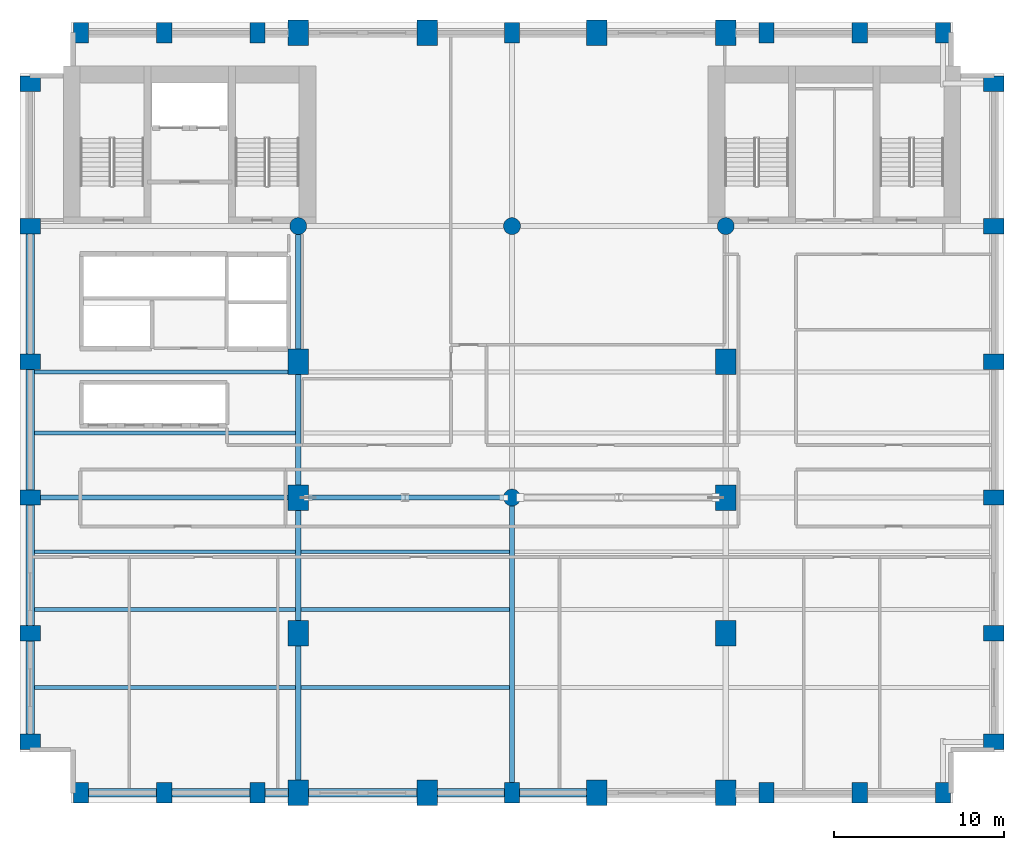
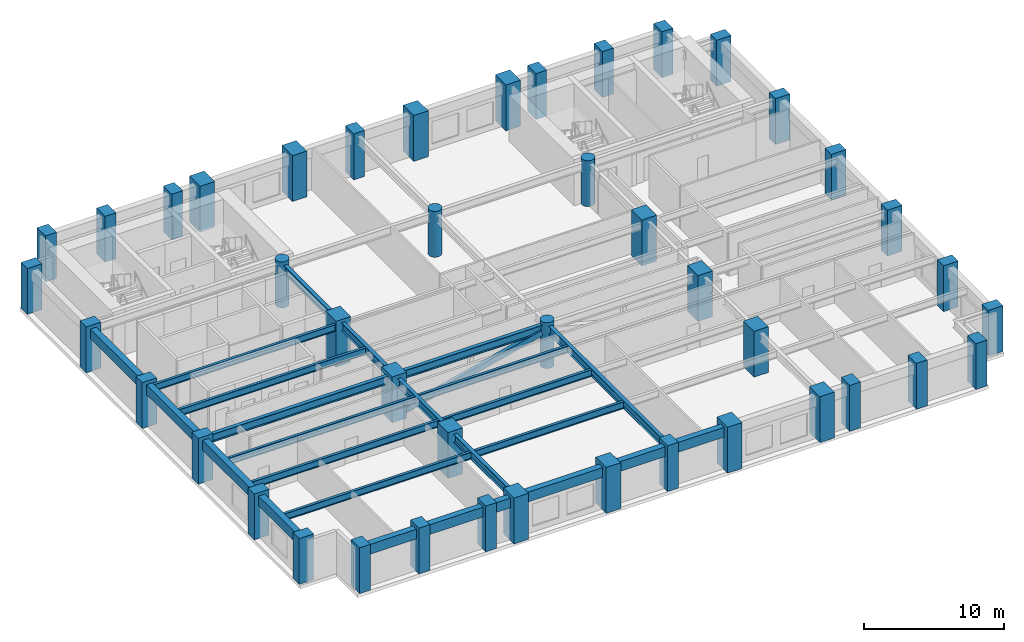
# One storey, part 1 of 10: 44 columns, 23 beams, 1 member.
"""IFC4 building model written with IfcOpenShell, lengths in metres."""

from ifc_helpers import new_model, si_unit, direction, frame, origin, origin_2d, place, context, subcontext, project, spatial, rectangle, hollow_rectangle, circle, i_section, extrude, material, material_profile, profile_set, type_object, element, save


model = new_model("IFC4")

# Units and contexts
model_context = context("Model", 3, precision=1e-05, world=origin(), true_north=direction((0.0, 1.0)))
body_context = subcontext(model_context, "Body", "Model", "MODEL_VIEW")
ifc_project = project(units=[si_unit("LENGTHUNIT", "METRE"), si_unit("AREAUNIT", "SQUARE_METRE"), si_unit("VOLUMEUNIT", "CUBIC_METRE"), si_unit("PLANEANGLEUNIT", "RADIAN"), si_unit("MASSUNIT", "GRAM", prefix="KILO")], contexts=[model_context])

# Site, building, storey
site_placement = place(None, origin())
site = spatial("IfcSite", under=ifc_project, at=site_placement, CompositionType="ELEMENT")
building_placement = place(site_placement, origin())
building = spatial("IfcBuilding", under=site, at=building_placement, Name="Sulina Concourse Tower", CompositionType="ELEMENT")
storey_placement = place(building_placement, frame((0.0, 0.0, 58.60009765625)))
storey = spatial("IfcBuildingStorey", under=building, at=storey_placement, Name="L14", CompositionType="ELEMENT", Elevation=58.60009765625)

# Columns
ifc_material_1 = material(Name="Concrete C60/75", Category="concrete")
ifc_material_profile_1 = material_profile(ifc_material_1, circle(Radius=0.5, at=origin_2d()), Name="RC D1000")
ifc_profile_set_1 = profile_set([ifc_material_profile_1], Name="Concrete C60/75")
column_type_1 = type_object("IfcColumnType", Name="Lower Interior Circular Column D1000", PredefinedType="COLUMN", material=ifc_profile_set_1)
for number, where, z_axis, x_axis, name in (
    (1, (16.39990234375, 34.0, 0.0), (0.0, 0.0, 1.0), (1.0, 0.0, 0.0), "L14 structural column IC-N-164"),
    (2, (29.0, 18.0, 0.0), (0.0, 0.0, 1.0), (1.0, 0.0, 0.0), "L14 structural column IC-M-290"),
    (3, (29.0, 34.0, 0.0), (0.0, 0.0, 1.0), (1.0, 0.0, 0.0), "L14 structural column IC-N-290"),
    (4, (41.60009765625, 34.0, 0.0), (0.0, 0.0, 1.0), (1.0, 0.0, 0.0), "L14 structural column IC-N-416"),
):
    element("IfcColumn", number, at=place(storey_placement, frame(where, z_axis=z_axis, x_axis=x_axis)), inside=storey, type_object=column_type_1, Name=name, PredefinedType="COLUMN", context=body_context, shape_type="SweptSolid", body=[
        extrude(circle(Radius=0.5, at=origin_2d()), origin(), (0.0, 0.0, 1.0), 4.0),
    ])
ifc_material_2 = material(Name="Concrete C80/95", Category="concrete")
ifc_material_profile_2 = material_profile(ifc_material_2, rectangle(XDim=1.199951171875, YDim=1.5, at=origin_2d()), Name="RC 1200x1500")
ifc_profile_set_2 = profile_set([ifc_material_profile_2], Name="Concrete C80/95")
column_type_2 = type_object("IfcColumnType", Name="Lower Portal End-Leg Column 1200x1500", PredefinedType="COLUMN", material=ifc_profile_set_2)
for number, where, z_axis, x_axis, name in (
    (5, (16.39990234375, 0.60009765625, 0.0), (0.0, 0.0, 1.0), (1.0, 0.0, 0.0), "L14 structural column TP-S-164"),
    (6, (16.39990234375, 45.39990234375, 0.0), (0.0, 0.0, 1.0), (1.0, 0.0, 0.0), "L14 structural column TP-N-164"),
    (7, (24.0, 0.60009765625, 0.0), (0.0, 0.0, 1.0), (1.0, 0.0, 0.0), "L14 structural column TP-S-240"),
    (8, (24.0, 45.39990234375, 0.0), (0.0, 0.0, 1.0), (1.0, 0.0, 0.0), "L14 structural column TP-N-240"),
    (9, (34.0, 0.60009765625, 0.0), (0.0, 0.0, 1.0), (1.0, 0.0, 0.0), "L14 structural column TP-S-340"),
    (10, (34.0, 45.39990234375, 0.0), (0.0, 0.0, 1.0), (1.0, 0.0, 0.0), "L14 structural column TP-N-340"),
    (11, (41.60009765625, 0.60009765625, 0.0), (0.0, 0.0, 1.0), (1.0, 0.0, 0.0), "L14 structural column TP-S-416"),
    (12, (41.60009765625, 45.39990234375, 0.0), (0.0, 0.0, 1.0), (1.0, 0.0, 0.0), "L14 structural column TP-N-416"),
    (13, (16.39990234375, 10.0, 0.0), (0.0, 0.0, 1.0), (1.0, 0.0, 0.0), "L14 structural column LP-FW-10"),
    (14, (41.60009765625, 10.0, 0.0), (0.0, 0.0, 1.0), (1.0, 0.0, 0.0), "L14 structural column LP-FE-10"),
    (15, (16.39990234375, 18.0, 0.0), (0.0, 0.0, 1.0), (1.0, 0.0, 0.0), "L14 structural column LP-FW-18"),
    (16, (41.60009765625, 18.0, 0.0), (0.0, 0.0, 1.0), (1.0, 0.0, 0.0), "L14 structural column LP-FE-18"),
    (17, (16.39990234375, 26.0, 0.0), (0.0, 0.0, 1.0), (1.0, 0.0, 0.0), "L14 structural column LP-FW-26"),
    (18, (41.60009765625, 26.0, 0.0), (0.0, 0.0, 1.0), (1.0, 0.0, 0.0), "L14 structural column LP-FE-26"),
):
    element("IfcColumn", number, at=place(storey_placement, frame(where, z_axis=z_axis, x_axis=x_axis)), inside=storey, type_object=column_type_2, Name=name, PredefinedType="COLUMN", context=body_context, shape_type="SweptSolid", body=[
        extrude(rectangle(XDim=1.199951171875, YDim=1.5, at=origin_2d()), origin(), (0.0, 0.0, 1.0), 4.0),
    ])
ifc_material_3 = material(Name="Precast concrete C60/75", Category="concrete")
ifc_material_profile_3 = material_profile(ifc_material_3, rectangle(XDim=0.89990234375, YDim=1.199951171875, at=origin_2d()), Name="PC 900x1200")
ifc_profile_set_3 = profile_set([ifc_material_profile_3], Name="Precast concrete C60/75")
column_type_3 = type_object("IfcColumnType", Name="Precast Tube Pier Zone 1 900x1200", PredefinedType="COLUMN", material=ifc_profile_set_3)
for number, where, z_axis, x_axis, name in (
    (19, (3.60009765625, 0.60009765625, 0.0), (0.0, 0.0, 1.0), (1.0, 0.0, 0.0), "L14 structural column TP-S-36"),
    (20, (3.60009765625, 45.39990234375, 0.0), (0.0, 0.0, 1.0), (1.0, 0.0, 0.0), "L14 structural column TP-N-36"),
    (21, (8.5, 0.60009765625, 0.0), (0.0, 0.0, 1.0), (1.0, 0.0, 0.0), "L14 structural column TP-S-85"),
    (22, (8.5, 45.39990234375, 0.0), (0.0, 0.0, 1.0), (1.0, 0.0, 0.0), "L14 structural column TP-N-85"),
    (23, (14.0, 0.60009765625, 0.0), (0.0, 0.0, 1.0), (1.0, 0.0, 0.0), "L14 structural column TP-S-140"),
    (24, (14.0, 45.39990234375, 0.0), (0.0, 0.0, 1.0), (1.0, 0.0, 0.0), "L14 structural column TP-N-140"),
    (25, (29.0, 0.60009765625, 0.0), (0.0, 0.0, 1.0), (1.0, 0.0, 0.0), "L14 structural column TP-S-290"),
    (26, (29.0, 45.39990234375, 0.0), (0.0, 0.0, 1.0), (1.0, 0.0, 0.0), "L14 structural column TP-N-290"),
    (27, (44.0, 0.60009765625, 0.0), (0.0, 0.0, 1.0), (1.0, 0.0, 0.0), "L14 structural column TP-S-440"),
    (28, (44.0, 45.39990234375, 0.0), (0.0, 0.0, 1.0), (1.0, 0.0, 0.0), "L14 structural column TP-N-440"),
    (29, (49.5, 0.60009765625, 0.0), (0.0, 0.0, 1.0), (1.0, 0.0, 0.0), "L14 structural column TP-S-495"),
    (30, (49.5, 45.39990234375, 0.0), (0.0, 0.0, 1.0), (1.0, 0.0, 0.0), "L14 structural column TP-N-495"),
    (31, (54.39990234375, 0.60009765625, 0.0), (0.0, 0.0, 1.0), (1.0, 0.0, 0.0), "L14 structural column TP-S-544"),
    (32, (54.39990234375, 45.39990234375, 0.0), (0.0, 0.0, 1.0), (1.0, 0.0, 0.0), "L14 structural column TP-N-544"),
    (33, (0.60009765625, 3.60009765625, 0.0), (0.0, 0.0, 1.0), (0.0, 1.0, 0.0), "L14 structural column TP-W-36"),
    (34, (57.39990234375, 3.60009765625, 0.0), (0.0, 0.0, 1.0), (0.0, 1.0, 0.0), "L14 structural column TP-E-36"),
    (35, (0.60009765625, 10.0, 0.0), (0.0, 0.0, 1.0), (0.0, 1.0, 0.0), "L14 structural column TP-W-100"),
    (36, (57.39990234375, 10.0, 0.0), (0.0, 0.0, 1.0), (0.0, 1.0, 0.0), "L14 structural column TP-E-100"),
    (37, (0.60009765625, 18.0, 0.0), (0.0, 0.0, 1.0), (0.0, 1.0, 0.0), "L14 structural column TP-W-180"),
    (38, (57.39990234375, 18.0, 0.0), (0.0, 0.0, 1.0), (0.0, 1.0, 0.0), "L14 structural column TP-E-180"),
    (39, (0.60009765625, 26.0, 0.0), (0.0, 0.0, 1.0), (0.0, 1.0, 0.0), "L14 structural column TP-W-260"),
    (40, (57.39990234375, 26.0, 0.0), (0.0, 0.0, 1.0), (0.0, 1.0, 0.0), "L14 structural column TP-E-260"),
    (41, (0.60009765625, 34.0, 0.0), (0.0, 0.0, 1.0), (0.0, 1.0, 0.0), "L14 structural column TP-W-340"),
    (42, (57.39990234375, 34.0, 0.0), (0.0, 0.0, 1.0), (0.0, 1.0, 0.0), "L14 structural column TP-E-340"),
    (43, (0.60009765625, 42.39990234375, 0.0), (0.0, 0.0, 1.0), (0.0, 1.0, 0.0), "L14 structural column TP-W-424"),
    (44, (57.39990234375, 42.39990234375, 0.0), (0.0, 0.0, 1.0), (0.0, 1.0, 0.0), "L14 structural column TP-E-424"),
):
    element("IfcColumn", number, at=place(storey_placement, frame(where, z_axis=z_axis, x_axis=x_axis)), inside=storey, type_object=column_type_3, Name=name, PredefinedType="COLUMN", context=body_context, shape_type="SweptSolid", body=[
        extrude(rectangle(XDim=0.89990234375, YDim=1.199951171875, at=origin_2d()), origin(), (0.0, 0.0, 1.0), 4.0),
    ])

# Beams
ifc_material_4 = material(Name="Steel S355", Category="steel")
ifc_material_profile_4 = material_profile(ifc_material_4, i_section(OverallWidth=0.219970703125, OverallDepth=0.60009765625, WebThickness=0.011962890625, FlangeThickness=0.01904296875, at=origin_2d()), Name="IPE 600")
ifc_profile_set_4 = profile_set([ifc_material_profile_4], Name="Steel S355")
beam_type_1 = type_object("IfcBeamType", Name="Composite Floor Joist IPE600", PredefinedType="JOIST", material=ifc_profile_set_4)
beam_1_placement = place(storey_placement, frame((0.85009765625, 6.800048828125, 3.39990234375), z_axis=(1.0, 0.0, 0.0), x_axis=(0.0, 1.0, 0.0)))
element("IfcBeam", 45, at=beam_1_placement, inside=storey, type_object=beam_type_1, Name="FJ-J06-1-L14", PredefinedType="JOIST", context=body_context, shape_type="SweptSolid", body=[
    extrude(i_section(OverallWidth=0.219970703125, OverallDepth=0.60009765625, WebThickness=0.011962890625, FlangeThickness=0.01904296875, at=origin_2d()), origin(), (0.0, 0.0, 1.0), 15.39990234375),
])
beam_2_placement = place(storey_placement, frame((16.550048828125, 6.800048828125, 3.39990234375), z_axis=(1.0, 0.0, 0.0), x_axis=(0.0, 1.0, 0.0)))
element("IfcBeam", 46, at=beam_2_placement, inside=storey, type_object=beam_type_1, Name="FJ-J06-2-L14", PredefinedType="JOIST", context=body_context, shape_type="SweptSolid", body=[
    extrude(i_section(OverallWidth=0.219970703125, OverallDepth=0.60009765625, WebThickness=0.011962890625, FlangeThickness=0.01904296875, at=origin_2d()), origin(), (0.0, 0.0, 1.0), 12.300048828125),
])
beam_3_placement = place(storey_placement, frame((0.85009765625, 11.39990234375, 3.39990234375), z_axis=(1.0, 0.0, 0.0), x_axis=(0.0, 1.0, 0.0)))
element("IfcBeam", 47, at=beam_3_placement, inside=storey, type_object=beam_type_1, Name="FJ-J11-1-L14", PredefinedType="JOIST", context=body_context, shape_type="SweptSolid", body=[
    extrude(i_section(OverallWidth=0.219970703125, OverallDepth=0.60009765625, WebThickness=0.011962890625, FlangeThickness=0.01904296875, at=origin_2d()), origin(), (0.0, 0.0, 1.0), 15.39990234375),
])
beam_4_placement = place(storey_placement, frame((16.550048828125, 11.39990234375, 3.39990234375), z_axis=(1.0, 0.0, 0.0), x_axis=(0.0, 1.0, 0.0)))
element("IfcBeam", 48, at=beam_4_placement, inside=storey, type_object=beam_type_1, Name="FJ-J11-2-L14", PredefinedType="JOIST", context=body_context, shape_type="SweptSolid", body=[
    extrude(i_section(OverallWidth=0.219970703125, OverallDepth=0.60009765625, WebThickness=0.011962890625, FlangeThickness=0.01904296875, at=origin_2d()), origin(), (0.0, 0.0, 1.0), 12.300048828125),
])
beam_5_placement = place(storey_placement, frame((0.85009765625, 14.800048828125, 3.39990234375), z_axis=(1.0, 0.0, 0.0), x_axis=(0.0, 1.0, 0.0)))
element("IfcBeam", 49, at=beam_5_placement, inside=storey, type_object=beam_type_1, Name="FJ-J15-1-L14", PredefinedType="JOIST", context=body_context, shape_type="SweptSolid", body=[
    extrude(i_section(OverallWidth=0.219970703125, OverallDepth=0.60009765625, WebThickness=0.011962890625, FlangeThickness=0.01904296875, at=origin_2d()), origin(), (0.0, 0.0, 1.0), 15.39990234375),
])
beam_6_placement = place(storey_placement, frame((16.550048828125, 14.800048828125, 3.39990234375), z_axis=(1.0, 0.0, 0.0), x_axis=(0.0, 1.0, 0.0)))
element("IfcBeam", 50, at=beam_6_placement, inside=storey, type_object=beam_type_1, Name="FJ-J15-2-L14", PredefinedType="JOIST", context=body_context, shape_type="SweptSolid", body=[
    extrude(i_section(OverallWidth=0.219970703125, OverallDepth=0.60009765625, WebThickness=0.011962890625, FlangeThickness=0.01904296875, at=origin_2d()), origin(), (0.0, 0.0, 1.0), 12.300048828125),
])
for number, where, z_axis, x_axis, name in (
    (51, (0.85009765625, 21.800048828125, 3.39990234375), (1.0, 0.0, 0.0), (0.0, 1.0, 0.0), "FJ-J22-1-L14"),
    (52, (0.85009765625, 25.39990234375, 3.39990234375), (1.0, 0.0, 0.0), (0.0, 1.0, 0.0), "FJ-J25-1-L14"),
):
    element("IfcBeam", number, at=place(storey_placement, frame(where, z_axis=z_axis, x_axis=x_axis)), inside=storey, type_object=beam_type_1, Name=name, PredefinedType="JOIST", context=body_context, shape_type="SweptSolid", body=[
        extrude(i_section(OverallWidth=0.219970703125, OverallDepth=0.60009765625, WebThickness=0.011962890625, FlangeThickness=0.01904296875, at=origin_2d()), origin(), (0.0, 0.0, 1.0), 15.39990234375),
    ])
ifc_material_5 = material(Name="Steel S355", Category="steel")
ifc_material_profile_5 = material_profile(ifc_material_5, i_section(OverallWidth=0.300048828125, OverallDepth=0.699951171875, WebThickness=0.01708984375, FlangeThickness=0.031982421875, at=origin_2d()), Name="HE 700 B")
ifc_profile_set_5 = profile_set([ifc_material_profile_5], Name="Steel S355")
beam_type_2 = type_object("IfcBeamType", Name="Floor Primary Girder Zone 1 HE700B", PredefinedType="BEAM", material=ifc_profile_set_5)
beam_7_placement = place(storey_placement, frame((1.030029296875, 18.0, 3.349853515625), z_axis=(1.0, 0.0, 0.0), x_axis=(0.0, 1.0, 0.0)))
element("IfcBeam", 53, at=beam_7_placement, inside=storey, type_object=beam_type_2, Name="FG-EW1-L14", PredefinedType="BEAM", context=body_context, shape_type="SweptSolid", body=[
    extrude(i_section(OverallWidth=0.300048828125, OverallDepth=0.699951171875, WebThickness=0.01708984375, FlangeThickness=0.031982421875, at=origin_2d()), origin(), (0.0, 0.0, 1.0), 14.7900390625),
])
beam_8_placement = place(storey_placement, frame((16.97998046875, 18.0, 3.349853515625), z_axis=(1.0, 0.0, 0.0), x_axis=(0.0, 1.0, 0.0)))
element("IfcBeam", 54, at=beam_8_placement, inside=storey, type_object=beam_type_2, Name="FG-EW2-L14", PredefinedType="BEAM", context=body_context, shape_type="SweptSolid", body=[
    extrude(i_section(OverallWidth=0.300048828125, OverallDepth=0.699951171875, WebThickness=0.01708984375, FlangeThickness=0.031982421875, at=origin_2d()), origin(), (0.0, 0.0, 1.0), 11.5400390625),
])
beam_9_placement = place(storey_placement, frame((16.39990234375, 1.179931640625, 3.349853515625), z_axis=(0.0, 1.0, 0.0), x_axis=(-1.0, 0.0, 0.0)))
element("IfcBeam", 55, at=beam_9_placement, inside=storey, type_object=beam_type_2, Name="FG-NSA-16-L14", PredefinedType="BEAM", context=body_context, shape_type="SweptSolid", body=[
    extrude(i_section(OverallWidth=0.300048828125, OverallDepth=0.699951171875, WebThickness=0.01708984375, FlangeThickness=0.031982421875, at=origin_2d()), origin(), (0.0, 0.0, 1.0), 16.239990234375),
])
beam_10_placement = place(storey_placement, frame((16.39990234375, 18.580078125, 3.349853515625), z_axis=(0.0, 1.0, 0.0), x_axis=(-1.0, 0.0, 0.0)))
element("IfcBeam", 56, at=beam_10_placement, inside=storey, type_object=beam_type_2, Name="FG-NSB-16-L14", PredefinedType="BEAM", context=body_context, shape_type="SweptSolid", body=[
    extrude(i_section(OverallWidth=0.300048828125, OverallDepth=0.699951171875, WebThickness=0.01708984375, FlangeThickness=0.031982421875, at=origin_2d()), origin(), (0.0, 0.0, 1.0), 14.93994140625),
])
beam_11_placement = place(storey_placement, frame((29.0, 1.030029296875, 3.349853515625), z_axis=(0.0, 1.0, 0.0), x_axis=(-1.0, 0.0, 0.0)))
element("IfcBeam", 57, at=beam_11_placement, inside=storey, type_object=beam_type_2, Name="FG-NSA-29-L14", PredefinedType="BEAM", context=body_context, shape_type="SweptSolid", body=[
    extrude(i_section(OverallWidth=0.300048828125, OverallDepth=0.699951171875, WebThickness=0.01708984375, FlangeThickness=0.031982421875, at=origin_2d()), origin(), (0.0, 0.0, 1.0), 16.489990234375),
])

# Member
ifc_material_6 = material(Name="Steel S355", Category="steel")
ifc_material_profile_6 = material_profile(ifc_material_6, hollow_rectangle(XDim=0.300048828125, YDim=0.5, WallThickness=0.02001953125, at=origin_2d()), Name="RHS 500x300x20")
ifc_profile_set_6 = profile_set([ifc_material_profile_6], Name="Steel S355")
member_type = type_object("IfcMemberType", Name="Lower Portal Bridge Diagonal RHS500x300x20", PredefinedType="BRACE", material=ifc_profile_set_6)
member_placement = place(storey_placement, frame((16.989990234375, 18.0, 0.119873046875), z_axis=(0.969941447513, 0.0, 0.243338423593), x_axis=(0.0, 1.0, 0.0)))
element("IfcMember", 58, at=member_placement, inside=storey, type_object=member_type, Name="LBT-DG-1-L14", PredefinedType="BRACE", context=body_context, shape_type="SweptSolid", body=[
    extrude(hollow_rectangle(XDim=0.300048828125, YDim=0.5, WallThickness=0.02001953125, at=origin_2d()), origin(), (0.0, 0.0, 1.0), 11.876953125),
])

# Beams
ifc_material_7 = material(Name="Precast concrete C50/60", Category="concrete")
ifc_material_profile_7 = material_profile(ifc_material_7, rectangle(XDim=0.5, YDim=0.85009765625, at=origin_2d()), Name="RC 500x850")
ifc_profile_set_7 = profile_set([ifc_material_profile_7], Name="Precast concrete C50/60")
beam_type_3 = type_object("IfcBeamType", Name="Lower Precast Spandrel Edge Beam 500x850", PredefinedType="BEAM", material=ifc_profile_set_7)
beam_12_placement = place(storey_placement, frame((4.030029296875, 0.60009765625, 3.27490234375), z_axis=(1.0, 0.0, 0.0), x_axis=(0.0, 1.0, 0.0)))
element("IfcBeam", 59, at=beam_12_placement, inside=storey, type_object=beam_type_3, Name="SP-S1-L14", PredefinedType="BEAM", context=body_context, shape_type="SweptSolid", body=[
    extrude(rectangle(XDim=0.5, YDim=0.85009765625, at=origin_2d()), origin(), (0.0, 0.0, 1.0), 4.0400390625),
])
beam_13_placement = place(storey_placement, frame((8.929931640625, 0.60009765625, 3.27490234375), z_axis=(1.0, 0.0, 0.0), x_axis=(0.0, 1.0, 0.0)))
element("IfcBeam", 60, at=beam_13_placement, inside=storey, type_object=beam_type_3, Name="SP-S2-L14", PredefinedType="BEAM", context=body_context, shape_type="SweptSolid", body=[
    extrude(rectangle(XDim=0.5, YDim=0.85009765625, at=origin_2d()), origin(), (0.0, 0.0, 1.0), 4.64013671875),
])
beam_14_placement = place(storey_placement, frame((14.429931640625, 0.60009765625, 3.27490234375), z_axis=(1.0, 0.0, 0.0), x_axis=(0.0, 1.0, 0.0)))
element("IfcBeam", 61, at=beam_14_placement, inside=storey, type_object=beam_type_3, Name="SP-S3-L14", PredefinedType="BEAM", context=body_context, shape_type="SweptSolid", body=[
    extrude(rectangle(XDim=0.5, YDim=0.85009765625, at=origin_2d()), origin(), (0.0, 0.0, 1.0), 1.39013671875),
])
beam_15_placement = place(storey_placement, frame((16.97998046875, 0.60009765625, 3.27490234375), z_axis=(1.0, 0.0, 0.0), x_axis=(0.0, 1.0, 0.0)))
element("IfcBeam", 62, at=beam_15_placement, inside=storey, type_object=beam_type_3, Name="SP-S4-L14", PredefinedType="BEAM", context=body_context, shape_type="SweptSolid", body=[
    extrude(rectangle(XDim=0.5, YDim=0.85009765625, at=origin_2d()), origin(), (0.0, 0.0, 1.0), 6.43994140625),
])
for number, where, z_axis, x_axis, name in (
    (63, (24.580078125, 0.60009765625, 3.27490234375), (1.0, 0.0, 0.0), (0.0, 1.0, 0.0), "SP-S5-L14"),
    (64, (29.429931640625, 0.60009765625, 3.27490234375), (1.0, 0.0, 0.0), (0.0, 1.0, 0.0), "SP-S6-L14"),
):
    element("IfcBeam", number, at=place(storey_placement, frame(where, z_axis=z_axis, x_axis=x_axis)), inside=storey, type_object=beam_type_3, Name=name, PredefinedType="BEAM", context=body_context, shape_type="SweptSolid", body=[
        extrude(rectangle(XDim=0.5, YDim=0.85009765625, at=origin_2d()), origin(), (0.0, 0.0, 1.0), 3.989990234375),
    ])
beam_16_placement = place(storey_placement, frame((0.60009765625, 4.030029296875, 3.27490234375), z_axis=(0.0, 1.0, 0.0), x_axis=(-1.0, 0.0, 0.0)))
element("IfcBeam", 65, at=beam_16_placement, inside=storey, type_object=beam_type_3, Name="SP-W1-L14", PredefinedType="BEAM", context=body_context, shape_type="SweptSolid", body=[
    extrude(rectangle(XDim=0.5, YDim=0.85009765625, at=origin_2d()), origin(), (0.0, 0.0, 1.0), 5.5400390625),
])
for number, where, z_axis, x_axis, name in (
    (66, (0.60009765625, 10.429931640625, 3.27490234375), (0.0, 1.0, 0.0), (-1.0, 0.0, 0.0), "SP-W2-L14"),
    (67, (0.60009765625, 18.429931640625, 3.27490234375), (0.0, 1.0, 0.0), (-1.0, 0.0, 0.0), "SP-W3-L14"),
    (68, (0.60009765625, 26.429931640625, 3.27490234375), (0.0, 1.0, 0.0), (-1.0, 0.0, 0.0), "SP-W4-L14"),
):
    element("IfcBeam", number, at=place(storey_placement, frame(where, z_axis=z_axis, x_axis=x_axis)), inside=storey, type_object=beam_type_3, Name=name, PredefinedType="BEAM", context=body_context, shape_type="SweptSolid", body=[
        extrude(rectangle(XDim=0.5, YDim=0.85009765625, at=origin_2d()), origin(), (0.0, 0.0, 1.0), 7.14013671875),
    ])

save(model, "model.ifc")
